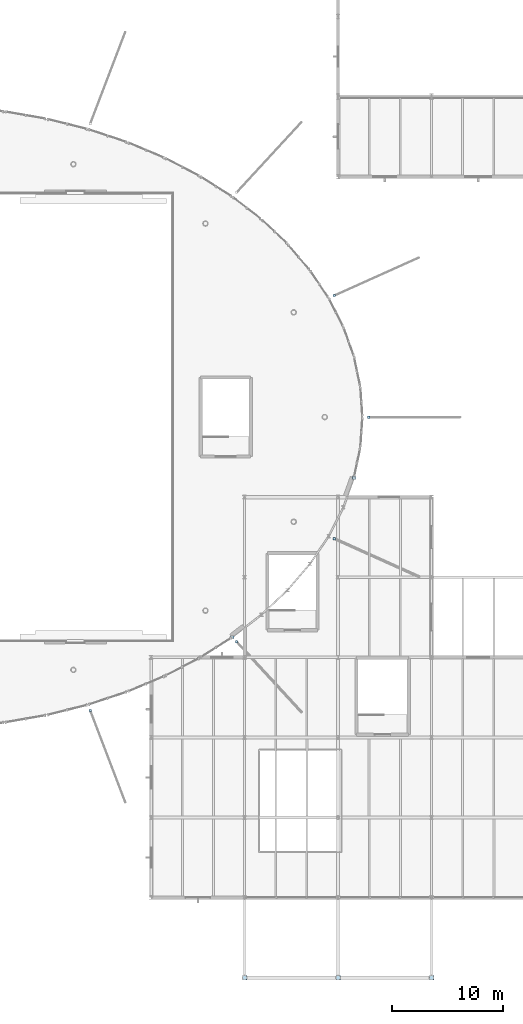
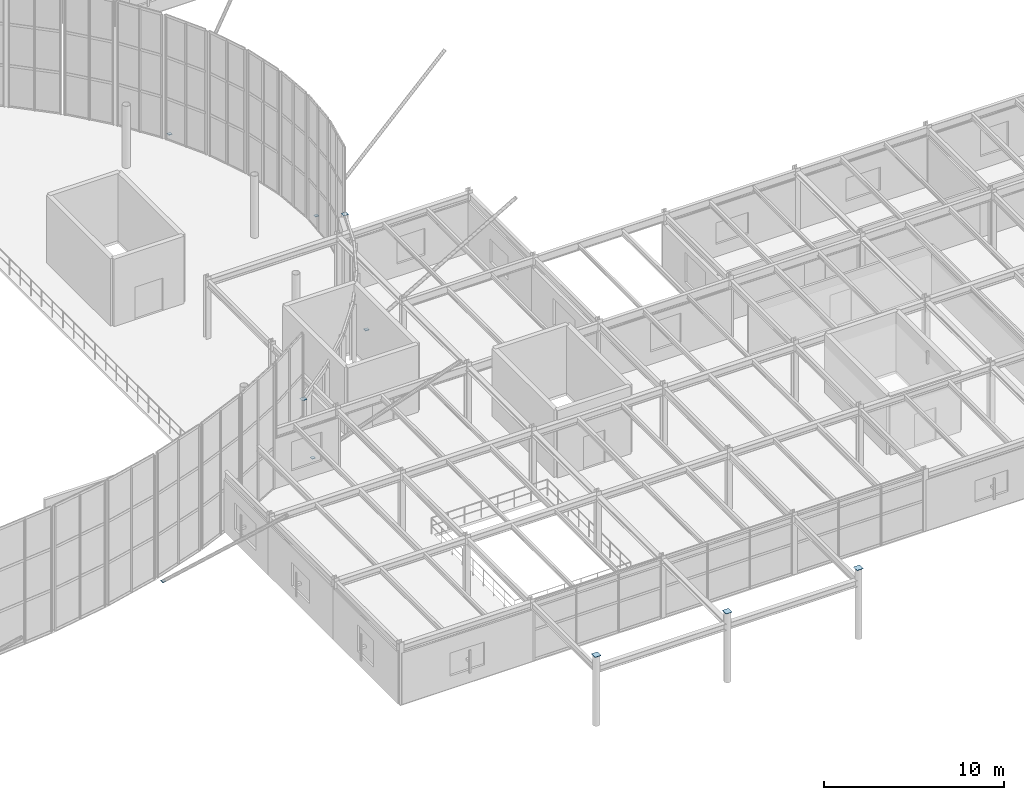
# One storey, part 55 of 109: 10 plates.
"""IFC4 building model written with IfcOpenShell, lengths in metres."""

from ifc_helpers import new_model, si_unit, derived_unit, direction, frame, origin, origin_2d, place, context, subcontext, project, spatial, rectangle, extrude, material, layer, layer_set, type_object, element, save


model = new_model("IFC4")

# Units and contexts
model_context = context("Model", 3, precision=1e-05, world=origin(), true_north=direction((0.0, 1.0)))
body_context = subcontext(model_context, "Body", "Model", "MODEL_VIEW")
ifc_project = project(units=[si_unit("LENGTHUNIT", "METRE"), si_unit("AREAUNIT", "SQUARE_METRE"), si_unit("VOLUMEUNIT", "CUBIC_METRE"), si_unit("PLANEANGLEUNIT", "RADIAN"), si_unit("MASSUNIT", "GRAM", prefix="KILO"), derived_unit("THERMALTRANSMITTANCEUNIT", [(si_unit("MASSUNIT", "GRAM", prefix="KILO"), 1), (si_unit("TIMEUNIT", "SECOND"), -3), (si_unit("THERMODYNAMICTEMPERATUREUNIT", "KELVIN"), -1)])], contexts=[model_context])

# Site, building, storey
site_placement = place(None, origin())
site = spatial("IfcSite", under=ifc_project, at=site_placement, CompositionType="ELEMENT")
building_placement = place(site_placement, origin())
building = spatial("IfcBuilding", under=site, at=building_placement, Name="Kharveza Railside Sports Centre", CompositionType="ELEMENT")
storey_placement = place(building_placement, frame((0.0, 0.0, 4.5)))
storey = spatial("IfcBuildingStorey", under=building, at=storey_placement, Name="L01", CompositionType="ELEMENT", Elevation=4.5)

# Plates
ifc_material = material(Name="Steel S355J2", Category="steel")
ifc_layer_1 = layer(ifc_material, 0.02001953125, Name="Steel S355J2")
ifc_layer_set_1 = layer_set([ifc_layer_1], Name="Steel S355J2")
plate_type_1 = type_object("IfcPlateType", Name="PL-EC01", PredefinedType="USERDEFINED", material=ifc_layer_set_1)
for number, where, z_axis, x_axis, name in (
    (1, (84.0, 0.0, 4.705078125), (0.0, 0.0, 1.0), (1.0, 0.0, 0.0), "PLT-EC-001"),
    (2, (92.39990234375, 0.0, 4.705078125), (0.0, 0.0, 1.0), (1.0, 0.0, 0.0), "PLT-EC-002"),
    (3, (100.800048828125, 0.0, 4.705078125), (0.0, 0.0, 1.0), (1.0, 0.0, 0.0), "PLT-EC-003"),
):
    element("IfcPlate", number, at=place(storey_placement, frame(where, z_axis=z_axis, x_axis=x_axis)), inside=storey, type_object=plate_type_1, Name=name, ObjectType="END_CAP_PLATE", PredefinedType="USERDEFINED", context=body_context, shape_type="SweptSolid", body=[
        extrude(rectangle(XDim=0.406005859375, YDim=0.406005859375, at=origin_2d()), origin(), (0.0, 0.0, 1.0), 0.02001953125),
    ])
ifc_layer_2 = layer(ifc_material, 0.02001953125, Name="Steel S355J2")
ifc_layer_set_2 = layer_set([ifc_layer_2], Name="Steel S355J2")
plate_type_2 = type_object("IfcPlateType", Name="PL-EC04", PredefinedType="USERDEFINED", material=ifc_layer_set_2)
for number, where, z_axis, x_axis, name in (
    (4, (82.88427734375, 30.60107421875, 3.869873046875), (0.0, 0.0, 1.0), (1.0, 0.0, 0.0), "PLT-EC-017"),
    (5, (93.831298828125, 44.9375, 3.869873046875), (0.0, 0.0, 1.0), (1.0, 0.0, 0.0), "PLT-EC-018"),
):
    element("IfcPlate", number, at=place(storey_placement, frame(where, z_axis=z_axis, x_axis=x_axis)), inside=storey, type_object=plate_type_2, Name=name, ObjectType="END_CAP_PLATE", PredefinedType="USERDEFINED", context=body_context, shape_type="SweptSolid", body=[
        extrude(rectangle(XDim=0.300048828125, YDim=0.300048828125, at=origin_2d()), origin(), (0.0, 0.0, 1.0), 0.02001953125),
    ])
ifc_layer_3 = layer(ifc_material, 0.02001953125, Name="Steel S355J2")
ifc_layer_set_3 = layer_set([ifc_layer_3], Name="Steel S355J2")
plate_type_3 = type_object("IfcPlateType", Name="PL-EC08", PredefinedType="USERDEFINED", material=ifc_layer_set_3)
for number, where, z_axis, x_axis, name in (
    (6, (95.14990234375, 50.39990234375, -0.010009765625), (0.0, 0.0, 1.0), (1.0, 0.0, 0.0), "PLT-EC-068"),
    (7, (92.063232421875, 61.32568359375, -0.010009765625), (0.0, 0.0, 1.0), (1.0, 0.0, 0.0), "PLT-EC-069"),
    (8, (70.117919921875, 24.023193359375, -0.010009765625), (0.0, 0.0, 1.0), (1.0, 0.0, 0.0), "PLT-EC-081"),
    (9, (83.273193359375, 30.212158203125, -0.010009765625), (0.0, 0.0, 1.0), (1.0, 0.0, 0.0), "PLT-EC-082"),
    (10, (92.063232421875, 39.474365234375, -0.010009765625), (0.0, 0.0, 1.0), (1.0, 0.0, 0.0), "PLT-EC-083"),
):
    element("IfcPlate", number, at=place(storey_placement, frame(where, z_axis=z_axis, x_axis=x_axis)), inside=storey, type_object=plate_type_3, Name=name, ObjectType="END_CAP_PLATE", PredefinedType="USERDEFINED", context=body_context, shape_type="SweptSolid", body=[
        extrude(rectangle(XDim=0.218994140625, YDim=0.218994140625, at=origin_2d()), origin(), (0.0, 0.0, 1.0), 0.02001953125),
    ])

save(model, "model.ifc")
